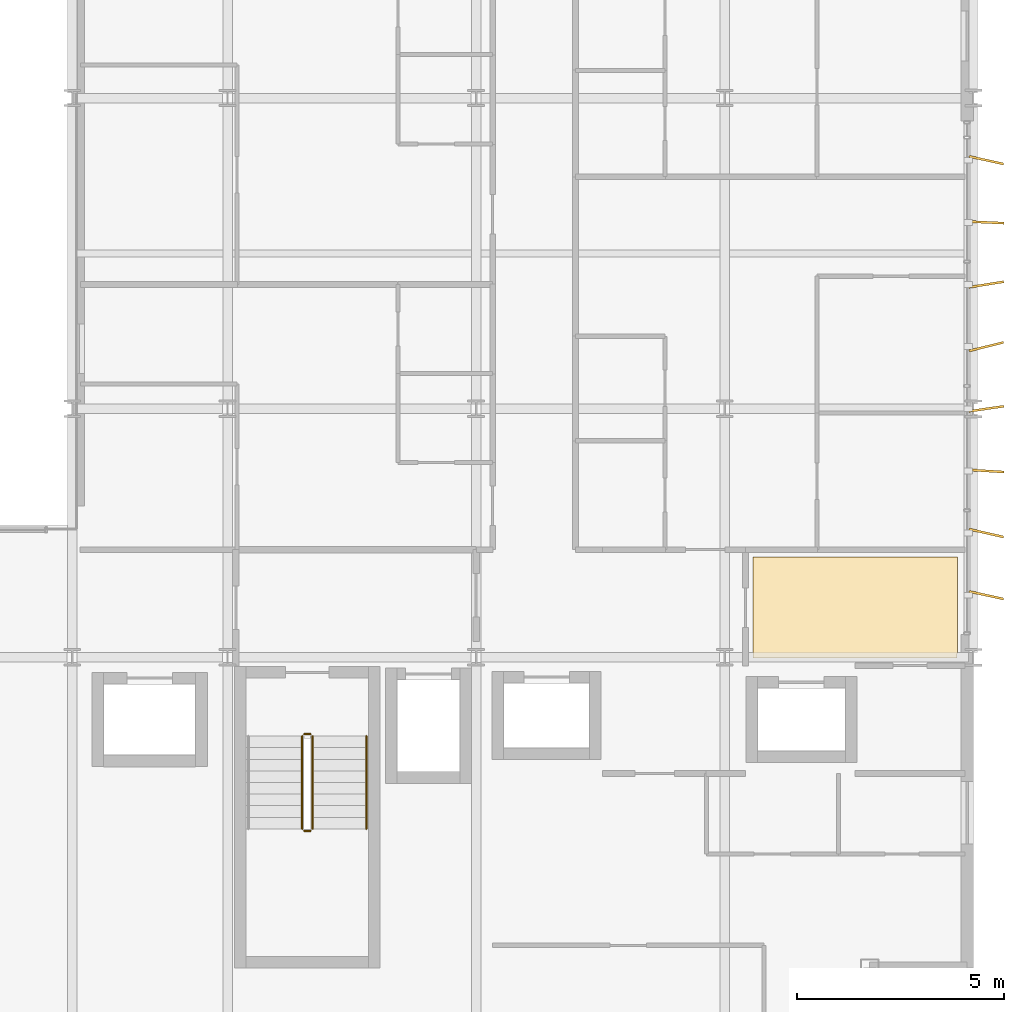
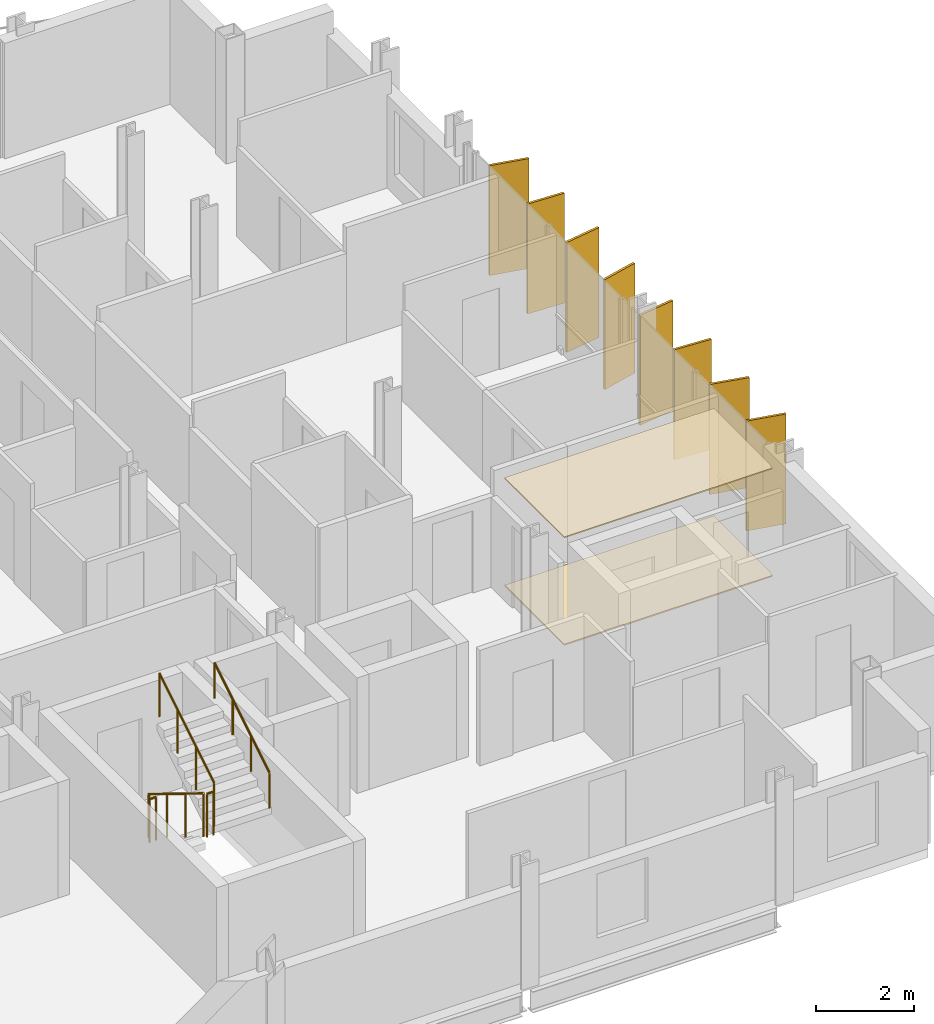
# One storey, part 37 of 38: 8 shading devices, 5 railings, 2 coverings.
"""IFC4 building model written with IfcOpenShell, lengths in metres."""

from ifc_helpers import new_model, si_unit, direction, frame, origin, origin_2d, place, context, subcontext, project, spatial, polyline, rectangle, circle, outline, extrude, material, layer, layer_set, type_object, element, save


model = new_model("IFC4")

# Units and contexts
model_context = context("Model", 3, precision=1e-05, world=origin(), true_north=direction((0.0, 1.0)))
body_context = subcontext(model_context, "Body", "Model", "MODEL_VIEW")
ifc_project = project(units=[si_unit("LENGTHUNIT", "METRE"), si_unit("AREAUNIT", "SQUARE_METRE"), si_unit("VOLUMEUNIT", "CUBIC_METRE"), si_unit("PLANEANGLEUNIT", "RADIAN"), si_unit("MASSUNIT", "GRAM", prefix="KILO")], contexts=[model_context])

# Site, building, storey
site_placement = place(None, origin())
site = spatial("IfcSite", under=ifc_project, at=site_placement, CompositionType="ELEMENT")
building_placement = place(site_placement, origin())
building = spatial("IfcBuilding", under=site, at=building_placement, Name="Brevholm Reach", CompositionType="ELEMENT")
storey_placement = place(building_placement, frame((0.0, 0.0, 128.300048828125)))
storey = spatial("IfcBuildingStorey", under=building, at=storey_placement, Name="L38", CompositionType="ELEMENT", Elevation=128.300048828125)

# Coverings
ifc_material_1 = material(Name="Moisture-Resistant Skimmed Gypsum Plasterboard Ceiling", Category="gypsum")
ifc_layer_1 = layer(ifc_material_1, 0.030029296875)
ifc_layer_set_1 = layer_set([ifc_layer_1], Name="Moisture-Resistant Skimmed Gypsum Plasterboard Ceiling")
covering_type_1 = type_object("IfcCoveringType", Name="COV-CLG-GYP", PredefinedType="CEILING", material=ifc_layer_set_1)
covering_1_placement = place(storey_placement, frame((0.0, 0.0, 2.679931640625)))
element("IfcCovering", 1, at=covering_1_placement, inside=storey, type_object=covering_type_1, Name="L38 Suspended Ceiling L38-32", PredefinedType="CEILING", context=body_context, shape_type="SweptSolid", body=[
    extrude(outline(polyline([(59.6201171875, 12.419921875), (59.6201171875, 10.123779296875), (59.6171875, 10.1162109375), (59.607666015625, 10.077880859375), (59.601806640625, 10.039306640625), (59.60009765625, 10.0), (59.60107421875, 9.97998046875), (54.68408203125, 9.97998046875), (54.68408203125, 12.419921875), (59.6201171875, 12.419921875)])), origin(), (0.0, 0.0, 1.0), 0.030029296875),
])
ifc_material_2 = material(Name="Honed Portland-Aggregate Resin Terrazzo Flooring", Category="concrete")
ifc_layer_2 = layer(ifc_material_2, 0.031982421875)
ifc_layer_set_2 = layer_set([ifc_layer_2], Name="Honed Portland-Aggregate Resin Terrazzo Flooring")
covering_type_2 = type_object("IfcCoveringType", Name="COV-FLR-TRZ", PredefinedType="FLOORING", material=ifc_layer_set_2)
covering_2_placement = place(storey_placement, origin())
element("IfcCovering", 2, at=covering_2_placement, inside=storey, type_object=covering_type_2, Name="L38 Floor Finish L38-32", PredefinedType="FLOORING", context=body_context, shape_type="SweptSolid", body=[
    extrude(outline(polyline([(59.6201171875, 12.419921875), (59.6201171875, 10.123779296875), (59.6171875, 10.1162109375), (59.607666015625, 10.077880859375), (59.601806640625, 10.039306640625), (59.60009765625, 10.0), (59.60107421875, 9.97998046875), (54.68408203125, 9.97998046875), (54.68408203125, 12.419921875), (59.6201171875, 12.419921875)])), origin(), (0.0, 0.0, 1.0), 0.031982421875),
])

# Railings
ifc_material_3 = material(Name="Brushed Stainless Steel EN 1.4401 Continuous Handrail", Category="steel")
railing_type_1 = type_object("IfcRailingType", Name="RAL-HND-950", PredefinedType="HANDRAIL", material=ifc_material_3)
railing_1_placement = place(storey_placement, frame((45.35009765625, 5.860107421875, 1.72216796875)))
element("IfcRailing", 3, at=railing_1_placement, inside=storey, type_object=railing_type_1, Name="L38 ST-2 stair handrail 2", PredefinedType="HANDRAIL", context=body_context, shape_type="SweptSolid", body=[
    extrude(circle(Radius=0.02392578125, at=origin_2d()), frame((0.0, 0.0, 0.8857421875), z_axis=(0.0, 0.85178898068, 0.523885037382), x_axis=(-1.0, 0.0, 0.0)), (0.0, 0.0, 1.0), 2.629638671875),
    extrude(circle(Radius=0.02099609375, at=origin_2d()), origin(), (0.0, 0.0, 1.0), 0.86181640625),
    extrude(circle(Radius=0.02099609375, at=origin_2d()), frame((0.0, 0.74658203125, 0.459228515625)), (0.0, 0.0, 1.0), 0.86181640625),
    extrude(circle(Radius=0.02099609375, at=origin_2d()), frame((0.0, 1.493408203125, 0.91845703125)), (0.0, 0.0, 1.0), 0.86181640625),
    extrude(circle(Radius=0.02099609375, at=origin_2d()), frame((0.0, 2.239990234375, 1.377685546875)), (0.0, 0.0, 1.0), 0.86181640625),
])
ifc_material_4 = material(Name="Painted Tubular Galvanised Steel S275JR Stair Guard", Category="steel")
railing_type_2 = type_object("IfcRailingType", Name="RAL-STG-1120", PredefinedType="BALUSTRADE", material=ifc_material_4)
railing_2_placement = place(storey_placement, frame((43.800048828125, 8.10009765625, 0.172119140625)))
element("IfcRailing", 4, at=railing_2_placement, inside=storey, type_object=railing_type_2, Name="L38 ST-2 stair guard 1", PredefinedType="BALUSTRADE", context=body_context, shape_type="SweptSolid", body=[
    extrude(circle(Radius=0.02392578125, at=origin_2d()), frame((0.0, 0.0, 1.076171875), z_axis=(0.0, -0.851747552033, 0.523952390591), x_axis=(1.0, 0.0, 0.0)), (0.0, 0.0, 1.0), 2.6298828125),
    extrude(circle(Radius=0.02099609375, at=origin_2d()), origin(), (0.0, 0.0, 1.0), 1.052001953125),
    extrude(circle(Radius=0.02099609375, at=origin_2d()), frame((0.0, -0.74658203125, 0.459228515625)), (0.0, 0.0, 1.0), 1.052001953125),
    extrude(circle(Radius=0.02099609375, at=origin_2d()), frame((0.0, -1.493408203125, 0.918701171875)), (0.0, 0.0, 1.0), 1.052001953125),
    extrude(circle(Radius=0.02099609375, at=origin_2d()), frame((0.0, -2.239990234375, 1.3779296875)), (0.0, 0.0, 1.0), 1.052001953125),
])
railing_3_placement = place(storey_placement, frame((43.85009765625, 5.81005859375, 1.550048828125)))
element("IfcRailing", 5, at=railing_3_placement, inside=storey, type_object=railing_type_2, Name="L38 ST-2 stair guard 2", PredefinedType="BALUSTRADE", context=body_context, shape_type="SweptSolid", body=[
    extrude(circle(Radius=0.02392578125, at=origin_2d()), frame((0.0, 0.0, 1.076171875), z_axis=(1.0, 0.0, 0.0), x_axis=(0.0, 1.0, 0.0)), (0.0, 0.0, 1.0), 0.14990234375),
    extrude(circle(Radius=0.02099609375, at=origin_2d()), origin(), (0.0, 0.0, 1.0), 1.052001953125),
    extrude(circle(Radius=0.02099609375, at=origin_2d()), frame((0.14990234375, 0.0, 0.0)), (0.0, 0.0, 1.0), 1.052001953125),
])
railing_4_placement = place(storey_placement, frame((44.050048828125, 5.860107421875, 1.72216796875)))
element("IfcRailing", 6, at=railing_4_placement, inside=storey, type_object=railing_type_2, Name="L38 ST-2 stair guard 3", PredefinedType="BALUSTRADE", context=body_context, shape_type="SweptSolid", body=[
    extrude(circle(Radius=0.02392578125, at=origin_2d()), frame((0.0, 0.0, 1.076171875), z_axis=(0.0, 0.85178898068, 0.523885037382), x_axis=(-1.0, 0.0, 0.0)), (0.0, 0.0, 1.0), 2.629638671875),
    extrude(circle(Radius=0.02099609375, at=origin_2d()), origin(), (0.0, 0.0, 1.0), 1.052001953125),
    extrude(circle(Radius=0.02099609375, at=origin_2d()), frame((0.0, 0.74658203125, 0.459228515625)), (0.0, 0.0, 1.0), 1.052001953125),
    extrude(circle(Radius=0.02099609375, at=origin_2d()), frame((0.0, 1.493408203125, 0.91845703125)), (0.0, 0.0, 1.0), 1.052001953125),
    extrude(circle(Radius=0.02099609375, at=origin_2d()), frame((0.0, 2.239990234375, 1.377685546875)), (0.0, 0.0, 1.0), 1.052001953125),
])
railing_5_placement = place(storey_placement, frame((43.85009765625, 8.14990234375, 0.0)))
element("IfcRailing", 7, at=railing_5_placement, inside=storey, type_object=railing_type_2, Name="L38 ST-2 stair guard 4", PredefinedType="BALUSTRADE", context=body_context, shape_type="SweptSolid", body=[
    extrude(circle(Radius=0.02392578125, at=origin_2d()), frame((0.0, 0.0, 1.076171875), z_axis=(1.0, 0.0, 0.0), x_axis=(0.0, 1.0, 0.0)), (0.0, 0.0, 1.0), 0.14990234375),
    extrude(circle(Radius=0.02099609375, at=origin_2d()), origin(), (0.0, 0.0, 1.0), 1.052001953125),
    extrude(circle(Radius=0.02099609375, at=origin_2d()), frame((0.14990234375, 0.0, 0.0)), (0.0, 0.0, 1.0), 1.052001953125),
])

# Shading devices
ifc_material_5 = material(Name="Perforated Champagne-Bronze Anodised Aluminium", Category="aluminium")
ifc_layer_3 = layer(ifc_material_5, 0.054931640625)
ifc_layer_set_3 = layer_set([ifc_layer_3], Name="Perforated Champagne-Bronze Anodised Aluminium")
shading_device_type = type_object("IfcShadingDeviceType", Name="SHD-FIN-850", PredefinedType="USERDEFINED", material=ifc_layer_set_3)
for number, where, z_axis, x_axis, name in (
    (8, (60.31494140625, 11.5, 0.06982421875), (0.0, 0.0, 1.0), (0.976780840542, -0.21424096142, 0.0), "L38 Perforated Solar Screen Fin 1"),
    (9, (60.31494140625, 13.0, 0.06982421875), (0.0, 0.0, 1.0), (0.975006081209, -0.222178175357, 0.0), "L38 Perforated Solar Screen Fin 2"),
    (10, (60.31494140625, 14.5, 0.06982421875), (0.0, 0.0, 1.0), (0.997985971984, -0.063435003932, 0.0), "L38 Perforated Solar Screen Fin 3"),
    (11, (60.31494140625, 16.0, 0.06982421875), (0.0, 0.0, 1.0), (0.98951822924, 0.144408012252, 0.0), "L38 Perforated Solar Screen Fin 4"),
    (12, (60.31494140625, 17.5, 0.06982421875), (0.0, 0.0, 1.0), (0.970337934833, 0.241752543364, 0.0), "L38 Perforated Solar Screen Fin 5"),
    (13, (60.31494140625, 19.0, 0.06982421875), (0.0, 0.0, 1.0), (0.987297605552, 0.158881836821, 0.0), "L38 Perforated Solar Screen Fin 6"),
    (14, (60.31494140625, 20.5, 0.06982421875), (0.0, 0.0, 1.0), (0.998979260449, -0.045171198713, 0.0), "L38 Perforated Solar Screen Fin 7"),
    (15, (60.31494140625, 22.0, 0.06982421875), (0.0, 0.0, 1.0), (0.976780840542, -0.21424096142, 0.0), "L38 Perforated Solar Screen Fin 8"),
):
    element("IfcShadingDevice", number, at=place(storey_placement, frame(where, z_axis=z_axis, x_axis=x_axis)), inside=storey, type_object=shading_device_type, Name=name, ObjectType="SCREEN", PredefinedType="USERDEFINED", context=body_context, shape_type="SweptSolid", body=[
        extrude(rectangle(XDim=0.85009765625, YDim=0.054931640625, at=origin_2d()), origin(), (0.0, 0.0, 1.0), 2.739990234375),
    ])

save(model, "model.ifc")
